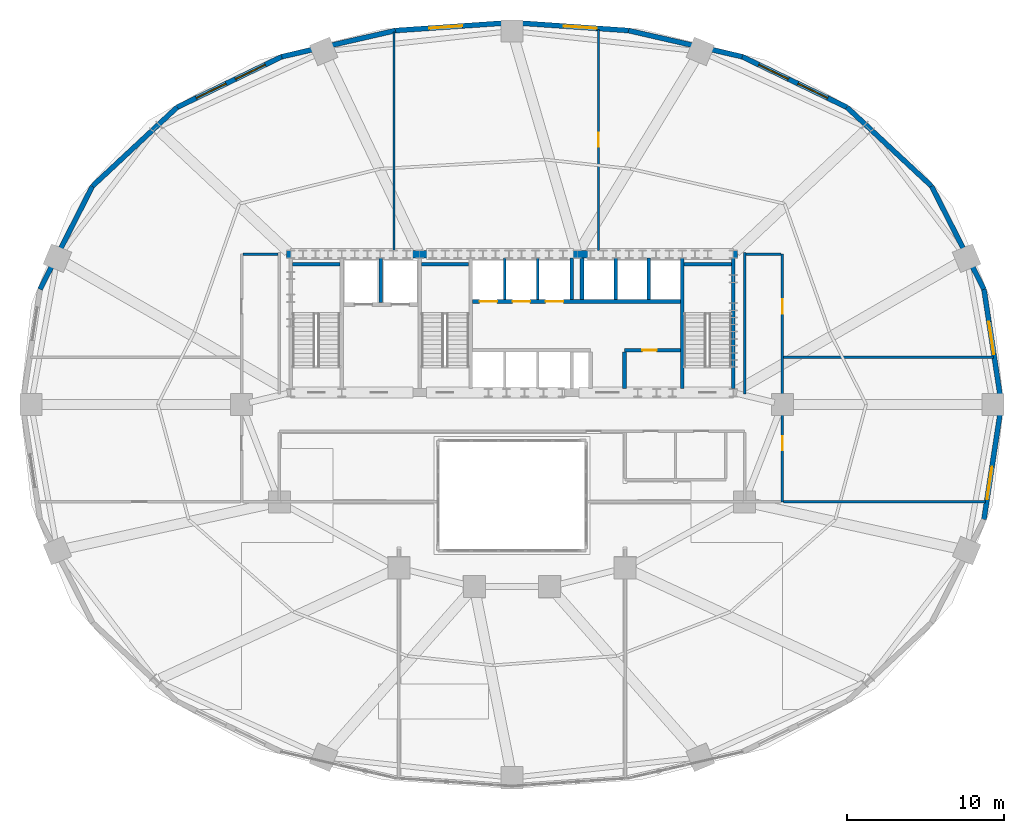
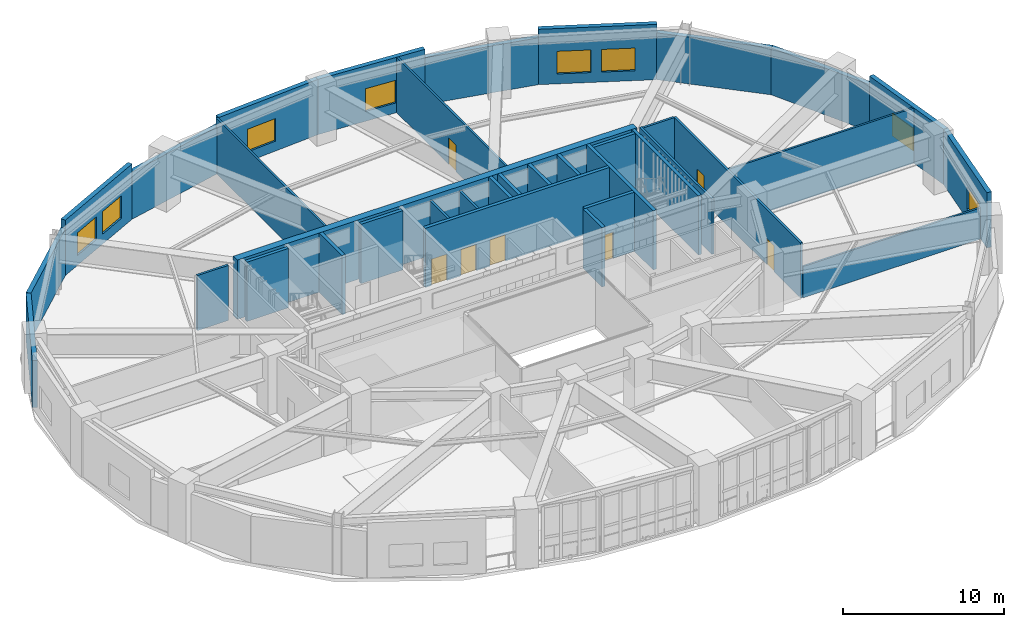
# One storey, part 10 of 13: 36 walls, 8 windows, 7 doors, 15 openings.
"""IFC4 building model written with IfcOpenShell, lengths in metres."""

import ifcopenshell
import ifcopenshell.guid

model = None  # the IFC model being written
_history = None  # IfcOwnerHistory: only IFC2X3 demands one
_inside = {}  # id of a spatial element -> (the spatial element, [elements in it])
_under = {}  # id of a project, library or spatial element -> (it, [spatial elements below it])
_declared = {}  # id of a project -> (the project, [libraries it declares])
_typed = {}  # id of a type object -> (the type object, [elements of that type])
_made_of = {}  # id of a material, layer set ... -> (it, [elements and type objects made of it])


def new_model(schema):
    """Start an empty IFC model of exactly this schema.

    Asked for "IFC4X3", IfcOpenShell would pick the latest addendum, in which some entities
    have other attributes; the version numbers below select the first issue.
    IFC2X3 requires an IfcOwnerHistory on every rooted entity: one is made here for all.
    """
    global model, _history
    if schema == "IFC4X3":
        model = ifcopenshell.file(schema_version=(4, 3, 0, 0))
    else:
        model = ifcopenshell.file(schema=schema)
    _inside.clear()
    _under.clear()
    _declared.clear()
    _typed.clear()
    _made_of.clear()
    _history = None
    if model.schema == "IFC2X3":
        org = make("IfcOrganization", Name="unknown")
        user = make(
            "IfcPersonAndOrganization",
            ThePerson=make("IfcPerson", FamilyName="unknown"),
            TheOrganization=org,
        )
        app = make(
            "IfcApplication",
            ApplicationDeveloper=org,
            Version="unknown",
            ApplicationFullName="unknown",
            ApplicationIdentifier="unknown",
        )
        _history = make(
            "IfcOwnerHistory",
            OwningUser=user,
            OwningApplication=app,
            ChangeAction="ADDED",
            CreationDate=0,
        )
    return model


def make(cls, **values):
    """One entity of the class cls with the attributes given. An attribute that is None is left unset."""
    return model.create_entity(
        cls, **{name: value for name, value in values.items() if value is not None}
    )


def rooted(cls, **values):
    """An entity with a GlobalId (a new one), such as an element, a storey or a relation."""
    return make(cls, GlobalId=ifcopenshell.guid.new(), OwnerHistory=_history, **values)


def si_unit(unit_type, name, prefix=None):
    """IfcSIUnit, for example si_unit("LENGTHUNIT", "METRE", prefix="MILLI")."""
    return make("IfcSIUnit", UnitType=unit_type, Prefix=prefix, Name=name)


def assignment(units):
    """IfcUnitAssignment: the units of a project."""
    return None if units is None else make("IfcUnitAssignment", Units=units)


def point(xyz):
    """IfcCartesianPoint."""
    return None if xyz is None else make("IfcCartesianPoint", Coordinates=xyz)


def direction(xyz):
    """IfcDirection."""
    return None if xyz is None else make("IfcDirection", DirectionRatios=xyz)


def frame(location, z_axis=None, x_axis=None):
    """IfcAxis2Placement3D, a coordinate frame: its origin and axes. An axis left out is left unset."""
    return make(
        "IfcAxis2Placement3D",
        Location=point(location),
        Axis=direction(z_axis),
        RefDirection=direction(x_axis),
    )


def frame_2d(location, x_axis=None):
    """IfcAxis2Placement2D, a coordinate frame in the plane: its origin and x axis."""
    return make(
        "IfcAxis2Placement2D", Location=point(location), RefDirection=direction(x_axis)
    )


def origin():
    """The frame at (0, 0, 0) with its axes left unset."""
    return frame((0.0, 0.0, 0.0))


def place(relative_to, where):
    """IfcLocalPlacement: puts the frame where relative to a parent placement (None: the world)."""
    return make(
        "IfcLocalPlacement", PlacementRelTo=relative_to, RelativePlacement=where
    )


def context(
    kind, dimensions, precision=None, world=None, true_north=None, identifier=None
):
    """IfcGeometricRepresentationContext, for example the 3D "Model" context."""
    return make(
        "IfcGeometricRepresentationContext",
        ContextIdentifier=identifier,
        ContextType=kind,
        CoordinateSpaceDimension=dimensions,
        Precision=precision,
        WorldCoordinateSystem=world,
        TrueNorth=true_north,
    )


def subcontext(parent, identifier, kind, view, scale=None):
    """IfcGeometricRepresentationSubContext, for example "Body" below "Model"."""
    return make(
        "IfcGeometricRepresentationSubContext",
        ContextIdentifier=identifier,
        ContextType=kind,
        ParentContext=parent,
        TargetScale=scale,
        TargetView=view,
    )


def project(units=None, contexts=None):
    """IfcProject with its units and contexts."""
    return rooted(
        "IfcProject",
        Name="project",
        RepresentationContexts=contexts,
        UnitsInContext=assignment(units),
    )


def spatial(cls, under=None, at=None, **own):
    """A site, building, storey or space (cls), placed at a placement, below another one or the project."""
    s = rooted(cls, ObjectPlacement=at, **own)
    if under is not None:
        _under.setdefault(under.id(), (under, []))[1].append(s)
    return s


def profile(cls, at=None, kind="AREA", **sizes):
    """A parametric profile (cls). Its sizes go by their IFC names, for example OverallWidth=200.0."""
    return make(cls, ProfileType=kind, Position=at, **sizes)


def rectangle(**sizes):
    """IfcRectangleProfileDef."""
    return profile("IfcRectangleProfileDef", **sizes)


def extrude(swept, where, along, depth):
    """IfcExtrudedAreaSolid: the profile swept, set in the frame where, extruded along a direction by depth."""
    return make(
        "IfcExtrudedAreaSolid",
        SweptArea=swept,
        Position=where,
        ExtrudedDirection=direction(along),
        Depth=depth,
    )


def shape(context_of_items, identifier, shape_type, items):
    """IfcShapeRepresentation: the items that make up one representation, for example the "Body"."""
    return make(
        "IfcShapeRepresentation",
        ContextOfItems=context_of_items,
        RepresentationIdentifier=identifier,
        RepresentationType=shape_type,
        Items=items,
    )


def material(Name=None, Category=None):
    """IfcMaterial."""
    return make("IfcMaterial", Name=Name, Category=Category)


def layer(
    of_material, thickness, ventilated=None, Name=None, Category=None, Priority=None
):
    """IfcMaterialLayer: one layer of a wall or slab, of a material (None: an air gap)."""
    return make(
        "IfcMaterialLayer",
        Material=of_material,
        LayerThickness=thickness,
        IsVentilated=ventilated,
        Name=Name,
        Category=Category,
        Priority=Priority,
    )


def layer_set(layers, Name=None):
    """IfcMaterialLayerSet."""
    return make("IfcMaterialLayerSet", MaterialLayers=layers, LayerSetName=Name)


def made_of(thing, what):
    """Note that an element or type object is made of a material, layer set ...; save() writes the relation."""
    if what is not None:
        _made_of.setdefault(what.id(), (what, []))[1].append(thing)
    return thing


def type_object(cls, material=None, **own):
    """A type object (cls), such as IfcWallType, which elements share."""
    return made_of(rooted(cls, **own), material)


def element(
    cls,
    number,
    at=None,
    inside=None,
    cuts=None,
    type_object=None,
    material=None,
    context=None,
    identifier="Body",
    shape_type=None,
    held_by="IfcProductDefinitionShape",
    body=None,
    shapes=None,
    **own,
):
    """One element of the class cls, such as IfcWall. Its Tag is "e" and its number.

    at: its placement. inside: the storey or other place that contains it. cuts: it is an
    opening in that element (IfcRelVoidsElement). A single representation is given by context,
    identifier, shape_type and body (its items); several are given by shapes. held_by: the class
    of the entity that holds the representations. save() writes the other relations.
    """
    e = rooted(cls, Tag="e%d" % number, ObjectPlacement=at, **own)
    if body is not None:
        shapes = [shape(context, identifier, shape_type, body)]
    if shapes is not None:
        e.Representation = make(held_by, Representations=shapes)
    if inside is not None:
        _inside.setdefault(inside.id(), (inside, []))[1].append(e)
    if cuts is not None:
        rooted(
            "IfcRelVoidsElement", RelatingBuildingElement=cuts, RelatedOpeningElement=e
        )
    if type_object is not None:
        _typed.setdefault(type_object.id(), (type_object, []))[1].append(e)
    return made_of(e, material)


def fill(opening, filler):
    """IfcRelFillsElement: the door or window that sits in an opening."""
    return rooted(
        "IfcRelFillsElement",
        RelatingOpeningElement=opening,
        RelatedBuildingElement=filler,
    )


def aggregate(whole, parts):
    """IfcRelAggregates: a whole, such as a stair, and the parts it consists of."""
    return rooted("IfcRelAggregates", RelatingObject=whole, RelatedObjects=parts)


def save(model, path):
    """Write the relations noted so far, then the file.

    IfcRelAggregates (storeys below a building ...), IfcRelContainedInSpatialStructure (elements
    in a storey), IfcRelDefinesByType, IfcRelAssociatesMaterial and IfcRelDeclares: one each for
    every whole, place, type object, material and project.
    """
    for whole, parts in _under.values():
        aggregate(whole, parts)
    for where, things in _inside.values():
        rooted(
            "IfcRelContainedInSpatialStructure",
            RelatedElements=things,
            RelatingStructure=where,
        )
    for kind, things in _typed.values():
        rooted("IfcRelDefinesByType", RelatedObjects=things, RelatingType=kind)
    for what, things in _made_of.values():
        rooted("IfcRelAssociatesMaterial", RelatedObjects=things, RelatingMaterial=what)
    for by, libraries in _declared.values():
        rooted("IfcRelDeclares", RelatingContext=by, RelatedDefinitions=libraries)
    model.write(path)


model = new_model("IFC4")

# Units and contexts
model_context = context("Model", 3, precision=1e-05, world=origin(), true_north=direction((0.0, 1.0)))
body_context = subcontext(model_context, "Body", "Model", "MODEL_VIEW")
ifc_project = project(units=[si_unit("LENGTHUNIT", "METRE"), si_unit("AREAUNIT", "SQUARE_METRE"), si_unit("VOLUMEUNIT", "CUBIC_METRE"), si_unit("PLANEANGLEUNIT", "RADIAN"), si_unit("MASSUNIT", "GRAM", prefix="KILO")], contexts=[model_context])

# Site, building, storey
site_placement = place(None, origin())
site = spatial("IfcSite", under=ifc_project, at=site_placement, CompositionType="ELEMENT")
building_placement = place(site_placement, origin())
building = spatial("IfcBuilding", under=site, at=building_placement, Name="Haldorwick Loom Tower", CompositionType="ELEMENT")
storey_placement = place(building_placement, frame((0.0, 0.0, 72.300048828125)))
storey = spatial("IfcBuildingStorey", under=building, at=storey_placement, Name="L19", CompositionType="ELEMENT", Elevation=72.300048828125)

# Wall, opening, window
ifc_material_1 = material(Name="Pressed Clay Face Brick and Insulated Masonry Backup Assembly", Category="masonry")
ifc_layer_1 = layer(ifc_material_1, 0.320068359375, Name="Pressed Clay Face Brick and Insulated Masonry Backup Assembly", Category="masonry")
ifc_layer_set_1 = layer_set([ifc_layer_1], Name="Pressed Clay Face Brick and Insulated Masonry Backup Assembly")
wall_type_1 = type_object("IfcWallType", Name="ARC-WL-EXT320", PredefinedType="STANDARD", material=ifc_layer_set_1)
wall_1_placement = place(storey_placement, frame((67.135986328125, 26.0, 0.0), z_axis=(0.0, 0.0, 1.0), x_axis=(-0.150476322528, 0.988613613278, 0.0)))
wall_1 = element("IfcWall", 1, at=wall_1_placement, inside=storey, type_object=wall_type_1, Name="L19 Brick Pier and Spandrel Wall 1", PredefinedType="STANDARD", context=body_context, shape_type="SweptSolid", body=[
    extrude(rectangle(XDim=7.40478515625, YDim=0.320068359375, at=frame_2d((3.702392578125, 0.0))), origin(), (0.0, 0.0, 1.0), 4.199951171875),
])
opening_1_placement = place(wall_1_placement, frame((3.22314453125, 0.0, 0.75)))
opening_1 = element("IfcOpeningElement", 2, at=opening_1_placement, cuts=wall_1, Name="Opening W-04", PredefinedType="OPENING", context=body_context, shape_type="SweptSolid", body=[
    extrude(rectangle(XDim=2.10009765625, YDim=1.719970703125, at=frame_2d((1.050048828125, 0.85986328125))), frame((0.0, 0.169921875, 0.0), z_axis=(0.0, -1.0, 0.0), x_axis=(1.0, 0.0, 0.0)), (0.0, 0.0, 1.0), 0.340087890625),
])
ifc_material_2 = material(Name="Triple-Glazed Low-E Argon Insulated Glazing Unit", Category="glass")
window_type = type_object("IfcWindowType", Name="ARC-WIN-W210", PartitioningType="SINGLE_PANEL", PredefinedType="WINDOW", material=ifc_material_2)
window_1_placement = place(opening_1_placement, origin())
window_1 = element("IfcWindow", 3, at=window_1_placement, inside=storey, type_object=window_type, Name="L19 Deep-Set Zone 7A Window 1", OverallHeight=1.719970703125, OverallWidth=2.10009765625, PartitioningType="SINGLE_PANEL", PredefinedType="WINDOW", context=body_context, shape_type="SweptSolid", body=[
    extrude(rectangle(XDim=2.10009765625, YDim=1.719970703125, at=frame_2d((1.050048828125, 0.85986328125))), frame((0.0, 0.030029296875, 0.0), z_axis=(0.0, -1.0, 0.0), x_axis=(1.0, 0.0, 0.0)), (0.0, 0.0, 1.0), 0.06005859375),
])
fill(opening_1, window_1)

# Walls
for number, where, z_axis, x_axis, name in (
    (4, (66.021728515625, 33.320556640625, 0.0), (0.0, 0.0, 1.0), (-0.452950855928, 0.891535485617, 0.0), "L19 Brick Pier and Spandrel Wall 2"),
    (5, (62.688720703125, 39.880859375, 0.0), (0.0, 0.0, 1.0), (-0.73176101237, 0.681561311091, 0.0), "L19 Brick Pier and Spandrel Wall 3"),
):
    element("IfcWall", number, at=place(storey_placement, frame(where, z_axis=z_axis, x_axis=x_axis)), inside=storey, type_object=wall_type_1, Name=name, PredefinedType="STANDARD", context=body_context, shape_type="SweptSolid", body=[
        extrude(rectangle(XDim=7.3583984375, YDim=0.320068359375, at=frame_2d((3.67919921875, 0.0))), origin(), (0.0, 0.0, 1.0), 3.558837890625),
    ])

# Wall, openings, windows
wall_2_placement = place(storey_placement, frame((57.30419921875, 44.89599609375, 0.0), z_axis=(0.0, 0.0, 1.0), x_axis=(-0.900295710431, 0.435278800057, 0.0)))
wall_2 = element("IfcWall", 6, at=wall_2_placement, inside=storey, type_object=wall_type_1, Name="L19 Brick Pier and Spandrel Wall 4", PredefinedType="STANDARD", context=body_context, shape_type="SweptSolid", body=[
    extrude(rectangle(XDim=7.39697265625, YDim=0.320068359375, at=frame_2d((3.698486328125, 0.0))), origin(), (0.0, 0.0, 1.0), 4.199951171875),
])
opening_2_placement = place(wall_2_placement, frame((1.359375, 0.0, 0.75)))
opening_2 = element("IfcOpeningElement", 7, at=opening_2_placement, cuts=wall_2, Name="Opening W-04", PredefinedType="OPENING", context=body_context, shape_type="SweptSolid", body=[
    extrude(rectangle(XDim=2.10009765625, YDim=1.719970703125, at=frame_2d((1.050048828125, 0.85986328125))), frame((0.0, 0.169921875, 0.0), z_axis=(0.0, -1.0, 0.0), x_axis=(1.0, 0.0, 0.0)), (0.0, 0.0, 1.0), 0.340087890625),
])
opening_3_placement = place(wall_2_placement, frame((4.1279296875, 0.0, 0.75)))
opening_3 = element("IfcOpeningElement", 8, at=opening_3_placement, cuts=wall_2, Name="Opening W-04", PredefinedType="OPENING", context=body_context, shape_type="SweptSolid", body=[
    extrude(rectangle(XDim=2.10009765625, YDim=1.719970703125, at=frame_2d((1.050048828125, 0.85986328125))), frame((0.0, 0.169921875, 0.0), z_axis=(0.0, -1.0, 0.0), x_axis=(1.0, 0.0, 0.0)), (0.0, 0.0, 1.0), 0.340087890625),
])
window_2_placement = place(opening_2_placement, origin())
window_2 = element("IfcWindow", 9, at=window_2_placement, inside=storey, type_object=window_type, Name="L19 Deep-Set Zone 7A Window 4", OverallHeight=1.719970703125, OverallWidth=2.10009765625, PartitioningType="SINGLE_PANEL", PredefinedType="WINDOW", context=body_context, shape_type="SweptSolid", body=[
    extrude(rectangle(XDim=2.10009765625, YDim=1.719970703125, at=frame_2d((1.050048828125, 0.85986328125))), frame((0.0, 0.030029296875, 0.0), z_axis=(0.0, -1.0, 0.0), x_axis=(1.0, 0.0, 0.0)), (0.0, 0.0, 1.0), 0.06005859375),
])
fill(opening_2, window_2)
window_3_placement = place(opening_3_placement, origin())
window_3 = element("IfcWindow", 10, at=window_3_placement, inside=storey, type_object=window_type, Name="L19 Deep-Set Zone 7A Window 4", OverallHeight=1.719970703125, OverallWidth=2.10009765625, PartitioningType="SINGLE_PANEL", PredefinedType="WINDOW", context=body_context, shape_type="SweptSolid", body=[
    extrude(rectangle(XDim=2.10009765625, YDim=1.719970703125, at=frame_2d((1.050048828125, 0.85986328125))), frame((0.0, 0.030029296875, 0.0), z_axis=(0.0, -1.0, 0.0), x_axis=(1.0, 0.0, 0.0)), (0.0, 0.0, 1.0), 0.06005859375),
])
fill(opening_3, window_3)

# Wall
wall_3_placement = place(storey_placement, frame((50.644775390625, 48.11572265625, 0.0), z_axis=(0.0, 0.0, 1.0), x_axis=(-0.974522412345, 0.224290142088, 0.0)))
element("IfcWall", 11, at=wall_3_placement, inside=storey, type_object=wall_type_1, Name="L19 Brick Pier and Spandrel Wall 5", PredefinedType="STANDARD", context=body_context, shape_type="SweptSolid", body=[
    extrude(rectangle(XDim=7.422607421875, YDim=0.320068359375, at=frame_2d((3.71142578125, 0.0))), origin(), (0.0, 0.0, 1.0), 3.558837890625),
])

# Wall, opening, window
wall_4_placement = place(storey_placement, frame((43.411376953125, 49.780517578125, 0.0), z_axis=(0.0, 0.0, 1.0), x_axis=(-0.997645161917, 0.068586667092, 0.0)))
wall_4 = element("IfcWall", 12, at=wall_4_placement, inside=storey, type_object=wall_type_1, Name="L19 Brick Pier and Spandrel Wall 6", PredefinedType="STANDARD", context=body_context, shape_type="SweptSolid", body=[
    extrude(rectangle(XDim=7.428955078125, YDim=0.320068359375, at=frame_2d((3.71435546875, 0.0))), origin(), (0.0, 0.0, 1.0), 4.199951171875),
])
opening_4_placement = place(wall_4_placement, frame((2.030517578125, 0.0, 0.75)))
opening_4 = element("IfcOpeningElement", 13, at=opening_4_placement, cuts=wall_4, Name="Opening W-04", PredefinedType="OPENING", context=body_context, shape_type="SweptSolid", body=[
    extrude(rectangle(XDim=2.10009765625, YDim=1.719970703125, at=frame_2d((1.050048828125, 0.85986328125))), frame((0.0, 0.169921875, 0.0), z_axis=(0.0, -1.0, 0.0), x_axis=(1.0, 0.0, 0.0)), (0.0, 0.0, 1.0), 0.340087890625),
])
window_4_placement = place(opening_4_placement, origin())
window_4 = element("IfcWindow", 14, at=window_4_placement, inside=storey, type_object=window_type, Name="L19 Deep-Set Zone 7A Window 6", OverallHeight=1.719970703125, OverallWidth=2.10009765625, PartitioningType="SINGLE_PANEL", PredefinedType="WINDOW", context=body_context, shape_type="SweptSolid", body=[
    extrude(rectangle(XDim=2.10009765625, YDim=1.719970703125, at=frame_2d((1.050048828125, 0.85986328125))), frame((0.0, 0.030029296875, 0.0), z_axis=(0.0, -1.0, 0.0), x_axis=(1.0, 0.0, 0.0)), (0.0, 0.0, 1.0), 0.06005859375),
])
fill(opening_4, window_4)

wall_5_placement = place(storey_placement, frame((36.0, 50.2900390625, 0.0), z_axis=(0.0, 0.0, 1.0), x_axis=(-0.997645161917, -0.068586667092, 0.0)))
wall_5 = element("IfcWall", 15, at=wall_5_placement, inside=storey, type_object=wall_type_1, Name="L19 Brick Pier and Spandrel Wall 7", PredefinedType="STANDARD", context=body_context, shape_type="SweptSolid", body=[
    extrude(rectangle(XDim=7.428955078125, YDim=0.320068359375, at=frame_2d((3.71435546875, 0.0))), origin(), (0.0, 0.0, 1.0), 4.199951171875),
])
opening_5_placement = place(wall_5_placement, frame((3.177490234375, 0.0, 0.75)))
opening_5 = element("IfcOpeningElement", 16, at=opening_5_placement, cuts=wall_5, Name="Opening W-04", PredefinedType="OPENING", context=body_context, shape_type="SweptSolid", body=[
    extrude(rectangle(XDim=2.10009765625, YDim=1.719970703125, at=frame_2d((1.050048828125, 0.85986328125))), frame((0.0, 0.169921875, 0.0), z_axis=(0.0, -1.0, 0.0), x_axis=(1.0, 0.0, 0.0)), (0.0, 0.0, 1.0), 0.340087890625),
])
window_5_placement = place(opening_5_placement, origin())
window_5 = element("IfcWindow", 17, at=window_5_placement, inside=storey, type_object=window_type, Name="L19 Deep-Set Zone 7A Window 7", OverallHeight=1.719970703125, OverallWidth=2.10009765625, PartitioningType="SINGLE_PANEL", PredefinedType="WINDOW", context=body_context, shape_type="SweptSolid", body=[
    extrude(rectangle(XDim=2.10009765625, YDim=1.719970703125, at=frame_2d((1.050048828125, 0.85986328125))), frame((0.0, 0.030029296875, 0.0), z_axis=(0.0, -1.0, 0.0), x_axis=(1.0, 0.0, 0.0)), (0.0, 0.0, 1.0), 0.06005859375),
])
fill(opening_5, window_5)

# Wall
wall_6_placement = place(storey_placement, frame((28.588623046875, 49.780517578125, 0.0), z_axis=(0.0, 0.0, 1.0), x_axis=(-0.974522412345, -0.224290142088, 0.0)))
element("IfcWall", 18, at=wall_6_placement, inside=storey, type_object=wall_type_1, Name="L19 Brick Pier and Spandrel Wall 8", PredefinedType="STANDARD", context=body_context, shape_type="SweptSolid", body=[
    extrude(rectangle(XDim=7.422607421875, YDim=0.320068359375, at=frame_2d((3.71142578125, 0.0))), origin(), (0.0, 0.0, 1.0), 3.558837890625),
])

# Wall, openings, windows
wall_7_placement = place(storey_placement, frame((21.355224609375, 48.11572265625, 0.0), z_axis=(0.0, 0.0, 1.0), x_axis=(-0.900295710431, -0.435278800057, 0.0)))
wall_7 = element("IfcWall", 19, at=wall_7_placement, inside=storey, type_object=wall_type_1, Name="L19 Brick Pier and Spandrel Wall 9", PredefinedType="STANDARD", context=body_context, shape_type="SweptSolid", body=[
    extrude(rectangle(XDim=7.39697265625, YDim=0.320068359375, at=frame_2d((3.698486328125, 0.0))), origin(), (0.0, 0.0, 1.0), 4.199951171875),
])
opening_6_placement = place(wall_7_placement, frame((1.169189453125, 0.0, 0.75)))
opening_6 = element("IfcOpeningElement", 20, at=opening_6_placement, cuts=wall_7, Name="Opening W-04", PredefinedType="OPENING", context=body_context, shape_type="SweptSolid", body=[
    extrude(rectangle(XDim=2.10009765625, YDim=1.719970703125, at=frame_2d((1.050048828125, 0.85986328125))), frame((0.0, 0.169921875, 0.0), z_axis=(0.0, -1.0, 0.0), x_axis=(1.0, 0.0, 0.0)), (0.0, 0.0, 1.0), 0.340087890625),
])
opening_7_placement = place(wall_7_placement, frame((3.937744140625, 0.0, 0.75)))
opening_7 = element("IfcOpeningElement", 21, at=opening_7_placement, cuts=wall_7, Name="Opening W-04", PredefinedType="OPENING", context=body_context, shape_type="SweptSolid", body=[
    extrude(rectangle(XDim=2.10009765625, YDim=1.719970703125, at=frame_2d((1.050048828125, 0.85986328125))), frame((0.0, 0.169921875, 0.0), z_axis=(0.0, -1.0, 0.0), x_axis=(1.0, 0.0, 0.0)), (0.0, 0.0, 1.0), 0.340087890625),
])
window_6_placement = place(opening_6_placement, origin())
window_6 = element("IfcWindow", 22, at=window_6_placement, inside=storey, type_object=window_type, Name="L19 Deep-Set Zone 7A Window 9", OverallHeight=1.719970703125, OverallWidth=2.10009765625, PartitioningType="SINGLE_PANEL", PredefinedType="WINDOW", context=body_context, shape_type="SweptSolid", body=[
    extrude(rectangle(XDim=2.10009765625, YDim=1.719970703125, at=frame_2d((1.050048828125, 0.85986328125))), frame((0.0, 0.030029296875, 0.0), z_axis=(0.0, -1.0, 0.0), x_axis=(1.0, 0.0, 0.0)), (0.0, 0.0, 1.0), 0.06005859375),
])
fill(opening_6, window_6)
window_7_placement = place(opening_7_placement, origin())
window_7 = element("IfcWindow", 23, at=window_7_placement, inside=storey, type_object=window_type, Name="L19 Deep-Set Zone 7A Window 9", OverallHeight=1.719970703125, OverallWidth=2.10009765625, PartitioningType="SINGLE_PANEL", PredefinedType="WINDOW", context=body_context, shape_type="SweptSolid", body=[
    extrude(rectangle(XDim=2.10009765625, YDim=1.719970703125, at=frame_2d((1.050048828125, 0.85986328125))), frame((0.0, 0.030029296875, 0.0), z_axis=(0.0, -1.0, 0.0), x_axis=(1.0, 0.0, 0.0)), (0.0, 0.0, 1.0), 0.06005859375),
])
fill(opening_7, window_7)

# Walls
for number, where, z_axis, x_axis, name in (
    (24, (14.69580078125, 44.89599609375, 0.0), (0.0, 0.0, 1.0), (-0.73176101237, -0.681561311091, 0.0), "L19 Brick Pier and Spandrel Wall 10"),
    (25, (9.311279296875, 39.880859375, 0.0), (0.0, 0.0, 1.0), (-0.452950855928, -0.891535485617, 0.0), "L19 Brick Pier and Spandrel Wall 11"),
):
    element("IfcWall", number, at=place(storey_placement, frame(where, z_axis=z_axis, x_axis=x_axis)), inside=storey, type_object=wall_type_1, Name=name, PredefinedType="STANDARD", context=body_context, shape_type="SweptSolid", body=[
        extrude(rectangle(XDim=7.3583984375, YDim=0.320068359375, at=frame_2d((3.67919921875, 0.0))), origin(), (0.0, 0.0, 1.0), 3.558837890625),
    ])

# Wall, opening, window
wall_8_placement = place(storey_placement, frame((66.021728515625, 18.679443359375, 0.0), z_axis=(0.0, 0.0, 1.0), x_axis=(0.150476322528, 0.988613613278, 0.0)))
wall_8 = element("IfcWall", 26, at=wall_8_placement, inside=storey, type_object=wall_type_1, Name="L19 Brick Pier and Spandrel Wall 24", PredefinedType="STANDARD", context=body_context, shape_type="SweptSolid", body=[
    extrude(rectangle(XDim=7.40478515625, YDim=0.320068359375, at=frame_2d((3.702392578125, 0.0))), origin(), (0.0, 0.0, 1.0), 4.199951171875),
])
opening_8_placement = place(wall_8_placement, frame((1.301025390625, 0.0, 0.75)))
opening_8 = element("IfcOpeningElement", 27, at=opening_8_placement, cuts=wall_8, Name="Opening W-04", PredefinedType="OPENING", context=body_context, shape_type="SweptSolid", body=[
    extrude(rectangle(XDim=2.10009765625, YDim=1.719970703125, at=frame_2d((1.050048828125, 0.85986328125))), frame((0.0, 0.169921875, 0.0), z_axis=(0.0, -1.0, 0.0), x_axis=(1.0, 0.0, 0.0)), (0.0, 0.0, 1.0), 0.340087890625),
])
window_8_placement = place(opening_8_placement, origin())
window_8 = element("IfcWindow", 28, at=window_8_placement, inside=storey, type_object=window_type, Name="L19 Deep-Set Zone 7A Window 24", OverallHeight=1.719970703125, OverallWidth=2.10009765625, PartitioningType="SINGLE_PANEL", PredefinedType="WINDOW", context=body_context, shape_type="SweptSolid", body=[
    extrude(rectangle(XDim=2.10009765625, YDim=1.719970703125, at=frame_2d((1.050048828125, 0.85986328125))), frame((0.0, 0.030029296875, 0.0), z_axis=(0.0, -1.0, 0.0), x_axis=(1.0, 0.0, 0.0)), (0.0, 0.0, 1.0), 0.06005859375),
])
fill(opening_8, window_8)

# Wall
ifc_material_3 = material(Name="Fire-Rated Type X Gypsum Stud Assembly EI 60")
ifc_layer_2 = layer(ifc_material_3, 0.159912109375, Name="Fire-Rated Type X Gypsum Stud Assembly EI 60")
ifc_layer_set_2 = layer_set([ifc_layer_2], Name="Fire-Rated Type X Gypsum Stud Assembly EI 60")
wall_type_2 = type_object("IfcWallType", Name="ARC-WL-FIRE160", PredefinedType="PARTITIONING", material=ifc_layer_set_2)
wall_9_placement = place(storey_placement, frame((18.883056640625, 35.550048828125, 0.0), z_axis=(0.0, 0.0, 1.0), x_axis=(1.0, 0.0, 0.0)))
element("IfcWall", 29, at=wall_9_placement, inside=storey, type_object=wall_type_2, Name="L19 Interior Partition L19-CWN", PredefinedType="PARTITIONING", context=body_context, shape_type="SweptSolid", body=[
    extrude(rectangle(XDim=2.23388671875, YDim=0.159912109375, at=frame_2d((1.116943359375, 0.0))), origin(), (0.0, 0.0, 1.0), 4.18505859375),
])

# Wall, openings, doors
wall_10_placement = place(storey_placement, frame((53.199951171875, 19.800048828125, 0.0), z_axis=(0.0, 0.0, 1.0), x_axis=(0.0, 1.0, 0.0)))
wall_10 = element("IfcWall", 30, at=wall_10_placement, inside=storey, type_object=wall_type_2, Name="L19 Interior Partition L19-CE0", PredefinedType="PARTITIONING", context=body_context, shape_type="SweptSolid", body=[
    extrude(rectangle(XDim=15.75, YDim=0.159912109375, at=frame_2d((7.875, 0.0))), origin(), (0.0, 0.0, 1.0), 4.18505859375),
])
opening_9_placement = place(wall_10_placement, frame((3.284912109375, 0.0, 0.0)))
opening_9 = element("IfcOpeningElement", 31, at=opening_9_placement, cuts=wall_10, Name="Opening D-FD60A", PredefinedType="OPENING", context=body_context, shape_type="SweptSolid", body=[
    extrude(rectangle(XDim=0.89990234375, YDim=2.0, at=frame_2d((0.449951171875, 1.0))), frame((0.0, 0.08984375, 0.0), z_axis=(0.0, -1.0, 0.0), x_axis=(1.0, 0.0, 0.0)), (0.0, 0.0, 1.0), 0.179931640625),
])
opening_10_placement = place(wall_10_placement, frame((11.972412109375, 0.0, 0.0)))
opening_10 = element("IfcOpeningElement", 32, at=opening_10_placement, cuts=wall_10, Name="Opening D-FD60A", PredefinedType="OPENING", context=body_context, shape_type="SweptSolid", body=[
    extrude(rectangle(XDim=0.89990234375, YDim=2.0, at=frame_2d((0.449951171875, 1.0))), frame((0.0, 0.08984375, 0.0), z_axis=(0.0, -1.0, 0.0), x_axis=(1.0, 0.0, 0.0)), (0.0, 0.0, 1.0), 0.179931640625),
])
ifc_material_4 = material(Name="Hollow Steel Fire Door Assembly", Category="steel")
door_type_1 = type_object("IfcDoorType", Name="ARC-DR-FD60-90", OperationType="NOTDEFINED", PredefinedType="DOOR", material=ifc_material_4)
door_1_placement = place(opening_9_placement, origin())
door_1 = element("IfcDoor", 33, at=door_1_placement, inside=storey, type_object=door_type_1, Name="L19 L19 Central Transfer Corridor to Childcare Classroom 6 Door", OperationType="SINGLE_SWING_RIGHT", OverallHeight=2.0, OverallWidth=0.89990234375, PredefinedType="DOOR", context=body_context, shape_type="SweptSolid", body=[
    extrude(rectangle(XDim=0.89990234375, YDim=2.0, at=frame_2d((0.449951171875, 1.0))), frame((0.0, 0.02490234375, 0.0), z_axis=(0.0, -1.0, 0.0), x_axis=(1.0, 0.0, 0.0)), (0.0, 0.0, 1.0), 0.050048828125),
])
fill(opening_9, door_1)
door_2_placement = place(opening_10_placement, origin())
door_2 = element("IfcDoor", 34, at=door_2_placement, inside=storey, type_object=door_type_1, Name="L19 L19 Central Transfer Corridor to Community Seminar Room 9 Door", OperationType="SINGLE_SWING_RIGHT", OverallHeight=2.0, OverallWidth=0.89990234375, PredefinedType="DOOR", context=body_context, shape_type="SweptSolid", body=[
    extrude(rectangle(XDim=0.89990234375, YDim=2.0, at=frame_2d((0.449951171875, 1.0))), frame((0.0, 0.02490234375, 0.0), z_axis=(0.0, -1.0, 0.0), x_axis=(1.0, 0.0, 0.0)), (0.0, 0.0, 1.0), 0.050048828125),
])
fill(opening_10, door_2)

# Walls
wall_11_placement = place(storey_placement, frame((50.800048828125, 26.64990234375, 0.0), z_axis=(0.0, 0.0, 1.0), x_axis=(0.0, 1.0, 0.0)))
element("IfcWall", 35, at=wall_11_placement, inside=storey, type_object=wall_type_2, Name="L19 Interior Partition L19-CE2", PredefinedType="PARTITIONING", context=body_context, shape_type="SweptSolid", body=[
    extrude(rectangle(XDim=9.0, YDim=0.159912109375, at=frame_2d((4.5, 0.0))), origin(), (0.0, 0.0, 1.0), 4.18505859375),
])
wall_12_placement = place(storey_placement, frame((50.883056640625, 35.550048828125, 0.0), z_axis=(0.0, 0.0, 1.0), x_axis=(1.0, 0.0, 0.0)))
element("IfcWall", 36, at=wall_12_placement, inside=storey, type_object=wall_type_2, Name="L19 Interior Partition L19-CEN", PredefinedType="PARTITIONING", context=body_context, shape_type="SweptSolid", body=[
    extrude(rectangle(XDim=2.23388671875, YDim=0.159912109375, at=frame_2d((1.116943359375, 0.0))), origin(), (0.0, 0.0, 1.0), 4.18505859375),
])
ifc_layer_3 = layer(ifc_material_3, 0.139892578125, Name="Fire-Rated Type X Gypsum Stud Assembly EI 60")
ifc_layer_set_3 = layer_set([ifc_layer_3], Name="Fire-Rated Type X Gypsum Stud Assembly EI 60")
wall_type_3 = type_object("IfcWallType", Name="ARC-WL-PART140", PredefinedType="PARTITIONING", material=ifc_layer_set_3)
wall_13_placement = place(storey_placement, frame((53.282958984375, 19.800048828125, 0.0), z_axis=(0.0, 0.0, 1.0), x_axis=(1.0, 0.0, 0.0)))
element("IfcWall", 37, at=wall_13_placement, inside=storey, type_object=wall_type_3, Name="L19 Interior Partition L19-EL-S", PredefinedType="PARTITIONING", context=body_context, shape_type="SweptSolid", body=[
    extrude(rectangle(XDim=12.84375, YDim=0.139892578125, at=frame_2d((6.421875, 0.0))), origin(), (0.0, 0.0, 1.0), 2.375),
])
wall_14_placement = place(storey_placement, frame((53.282958984375, 29.0, 0.0), z_axis=(0.0, 0.0, 1.0), x_axis=(1.0, 0.0, 0.0)))
element("IfcWall", 38, at=wall_14_placement, inside=storey, type_object=wall_type_3, Name="L19 Interior Partition L19-EL-N", PredefinedType="PARTITIONING", context=body_context, shape_type="SweptSolid", body=[
    extrude(rectangle(XDim=13.33056640625, YDim=0.139892578125, at=frame_2d((6.665283203125, 0.0))), origin(), (0.0, 0.0, 1.0), 4.18505859375),
])
wall_15_placement = place(storey_placement, frame((28.5, 35.802978515625, 0.0), z_axis=(0.0, 0.0, 1.0), x_axis=(0.0, 1.0, 0.0)))
element("IfcWall", 39, at=wall_15_placement, inside=storey, type_object=wall_type_3, Name="L19 Interior Partition L19-N-0", PredefinedType="PARTITIONING", context=body_context, shape_type="SweptSolid", body=[
    extrude(rectangle(XDim=13.890380859375, YDim=0.139892578125, at=frame_2d((6.9453125, 0.0))), origin(), (0.0, 0.0, 1.0), 4.18505859375),
])

# Wall, opening, door
wall_16_placement = place(storey_placement, frame((41.5, 35.802978515625, 0.0), z_axis=(0.0, 0.0, 1.0), x_axis=(0.0, 1.0, 0.0)))
wall_16 = element("IfcWall", 40, at=wall_16_placement, inside=storey, type_object=wall_type_3, Name="L19 Interior Partition L19-N-1", PredefinedType="PARTITIONING", context=body_context, shape_type="SweptSolid", body=[
    extrude(rectangle(XDim=14.043701171875, YDim=0.139892578125, at=frame_2d((7.02197265625, 0.0))), origin(), (0.0, 0.0, 1.0), 4.18505859375),
])
opening_11_placement = place(wall_16_placement, frame((6.581787109375, 0.0, 0.0)))
opening_11 = element("IfcOpeningElement", 41, at=opening_11_placement, cuts=wall_16, Name="Opening D-FD60A", PredefinedType="OPENING", context=body_context, shape_type="SweptSolid", body=[
    extrude(rectangle(XDim=0.89990234375, YDim=2.0, at=frame_2d((0.449951171875, 1.0))), frame((0.0, 0.079833984375, 0.0), z_axis=(0.0, -1.0, 0.0), x_axis=(1.0, 0.0, 0.0)), (0.0, 0.0, 1.0), 0.159912109375),
])
door_3_placement = place(opening_11_placement, frame((0.89990234375, 0.0, 0.0), z_axis=(0.0, 0.0, 1.0), x_axis=(-1.0, 0.0, 0.0)))
door_3 = element("IfcDoor", 42, at=door_3_placement, inside=storey, type_object=door_type_1, Name="L19 Parent Advisory Office 10 to Community Seminar Room 9 Door", OperationType="SINGLE_SWING_RIGHT", OverallHeight=2.0, OverallWidth=0.89990234375, PredefinedType="DOOR", context=body_context, shape_type="SweptSolid", body=[
    extrude(rectangle(XDim=0.89990234375, YDim=2.0, at=frame_2d((0.449951171875, 1.0))), frame((0.0, 0.02490234375, 0.0), z_axis=(0.0, -1.0, 0.0), x_axis=(1.0, 0.0, 0.0)), (0.0, 0.0, 1.0), 0.050048828125),
])
fill(opening_11, door_3)

# Walls
ifc_material_5 = material(Name="Fire-Rated Type X Gypsum Stud Assembly EI 120")
ifc_layer_4 = layer(ifc_material_5, 0.1650390625, Name="Fire-Rated Type X Gypsum Stud Assembly EI 120")
ifc_layer_set_4 = layer_set([ifc_layer_4], Name="Fire-Rated Type X Gypsum Stud Assembly EI 120")
wall_type_4 = type_object("IfcWallType", Name="ARC-WL-SHAFT160", PredefinedType="MOVABLE", material=ifc_layer_set_4)
for number, where, z_axis, x_axis, name in (
    (43, (35.550048828125, 32.673095703125, 0.0), (0.0, 0.0, 1.0), (0.0, 1.0, 0.0), "L19 Low-Rise Hoistway Divider 1"),
    (44, (37.64990234375, 32.673095703125, 0.0), (0.0, 0.0, 1.0), (0.0, 1.0, 0.0), "L19 Low-Rise Hoistway Divider 2"),
):
    element("IfcWall", number, at=place(storey_placement, frame(where, z_axis=z_axis, x_axis=x_axis)), inside=storey, type_object=wall_type_4, Name=name, PredefinedType="MOVABLE", context=body_context, shape_type="SweptSolid", body=[
        extrude(rectangle(XDim=2.6240234375, YDim=0.159912109375, at=frame_2d((1.31201171875, 0.0))), origin(), (0.0, 0.0, 1.0), 4.18505859375),
    ])
ifc_material_6 = material(Name="Concrete C60 (60 MPa)", Category="concrete")
ifc_layer_5 = layer(ifc_material_6, 0.5, Name="Concrete C60 (60 MPa)", Category="concrete")
ifc_layer_set_5 = layer_set([ifc_layer_5], Name="Concrete C60 (60 MPa)")
wall_type_5 = type_object("IfcWallType", Name="STR-WL-CORE500", PredefinedType="SHEAR", material=ifc_layer_set_5)
wall_17_placement = place(storey_placement, frame((50.35009765625, 35.550048828125, 0.0), z_axis=(0.0, 0.0, 1.0), x_axis=(-1.0, 0.0, 0.0)))
element("IfcWall", 45, at=wall_17_placement, inside=storey, type_object=wall_type_5, Name="L19 Core Shear Wall N", PredefinedType="SHEAR", context=body_context, shape_type="SweptSolid", body=[
    extrude(rectangle(XDim=28.7001953125, YDim=0.5, at=frame_2d((14.35009765625, 0.0))), origin(), (0.0, 0.0, 1.0), 4.5),
])
ifc_material_7 = material(Name="Concrete C50 (50 MPa)", Category="concrete")
ifc_layer_6 = layer(ifc_material_7, 0.239990234375, Name="Concrete C50 (50 MPa)", Category="concrete")
ifc_layer_set_6 = layer_set([ifc_layer_6], Name="Concrete C50 (50 MPa)")
wall_type_6 = type_object("IfcWallType", Name="STR-WL-SHAFT240", PredefinedType="SHEAR", material=ifc_layer_set_6)
wall_18_placement = place(storey_placement, frame((50.070068359375, 27.0029296875, 0.0), z_axis=(0.0, 0.0, 1.0), x_axis=(0.0, 1.0, 0.0)))
element("IfcWall", 46, at=wall_18_placement, inside=storey, type_object=wall_type_6, Name="L19 Core Shear Wall E", PredefinedType="SHEAR", context=body_context, shape_type="SweptSolid", body=[
    extrude(rectangle(XDim=8.294189453125, YDim=0.239990234375, at=frame_2d((4.14697265625, 0.0))), origin(), (0.0, 0.0, 1.0), 4.5),
])
for number, where, z_axis, x_axis, name in (
    (47, (22.052978515625, 34.919921875, 0.0), (0.0, 0.0, 1.0), (1.0, 0.0, 0.0), "L19 Core Shear Wall 1N"),
    (48, (30.2529296875, 34.919921875, 0.0), (0.0, 0.0, 1.0), (1.0, 0.0, 0.0), "L19 Core Shear Wall 3N"),
):
    element("IfcWall", number, at=place(storey_placement, frame(where, z_axis=z_axis, x_axis=x_axis)), inside=storey, type_object=wall_type_6, Name=name, PredefinedType="SHEAR", context=body_context, shape_type="SweptSolid", body=[
        extrude(rectangle(XDim=2.994140625, YDim=0.239990234375, at=frame_2d((1.4970703125, 0.0))), origin(), (0.0, 0.0, 1.0), 4.5),
    ])
wall_19_placement = place(storey_placement, frame((46.830078125, 27.0029296875, 0.0), z_axis=(0.0, 0.0, 1.0), x_axis=(0.0, 1.0, 0.0)))
element("IfcWall", 49, at=wall_19_placement, inside=storey, type_object=wall_type_6, Name="L19 Core Shear Wall 4", PredefinedType="SHEAR", context=body_context, shape_type="SweptSolid", body=[
    extrude(rectangle(XDim=8.294189453125, YDim=0.239990234375, at=frame_2d((4.14697265625, 0.0))), origin(), (0.0, 0.0, 1.0), 4.5),
])
wall_20_placement = place(storey_placement, frame((46.952880859375, 34.919921875, 0.0), z_axis=(0.0, 0.0, 1.0), x_axis=(1.0, 0.0, 0.0)))
element("IfcWall", 50, at=wall_20_placement, inside=storey, type_object=wall_type_6, Name="L19 Core Shear Wall 4N", PredefinedType="SHEAR", context=body_context, shape_type="SweptSolid", body=[
    extrude(rectangle(XDim=2.994140625, YDim=0.239990234375, at=frame_2d((1.4970703125, 0.0))), origin(), (0.0, 0.0, 1.0), 4.5),
])
wall_21_placement = place(storey_placement, frame((27.64990234375, 32.472900390625, 0.0), z_axis=(0.0, 0.0, 1.0), x_axis=(0.0, 1.0, 0.0)))
element("IfcWall", 51, at=wall_21_placement, inside=storey, type_object=wall_type_6, Name="L19 Core Shear Wall FFD", PredefinedType="SHEAR", context=body_context, shape_type="SweptSolid", body=[
    extrude(rectangle(XDim=2.82421875, YDim=0.239990234375, at=frame_2d((1.412109375, 0.0))), origin(), (0.0, 0.0, 1.0), 4.5),
])

# Wall, openings, doors
wall_22_placement = place(storey_placement, frame((33.492919921875, 32.550048828125, 0.0), z_axis=(0.0, 0.0, 1.0), x_axis=(1.0, 0.0, 0.0)))
wall_22 = element("IfcWall", 52, at=wall_22_placement, inside=storey, type_object=wall_type_6, Name="L19 Core Shear Wall LN", PredefinedType="SHEAR", context=body_context, shape_type="SweptSolid", body=[
    extrude(rectangle(XDim=13.214111328125, YDim=0.239990234375, at=frame_2d((6.60693359375, 0.0))), origin(), (0.0, 0.0, 1.0), 4.5),
])
opening_12_placement = place(wall_22_placement, frame((0.447021484375, 0.0, 0.0)))
opening_12 = element("IfcOpeningElement", 53, at=opening_12_placement, cuts=wall_22, Name="Opening LD-L1", PredefinedType="OPENING", context=body_context, shape_type="SweptSolid", body=[
    extrude(rectangle(XDim=1.1201171875, YDim=2.0, at=frame_2d((0.56005859375, 1.0))), frame((0.0, 0.1298828125, 0.0), z_axis=(0.0, -1.0, 0.0), x_axis=(1.0, 0.0, 0.0)), (0.0, 0.0, 1.0), 0.260009765625),
])
opening_13_placement = place(wall_22_placement, frame((2.547119140625, 0.0, 0.0)))
opening_13 = element("IfcOpeningElement", 54, at=opening_13_placement, cuts=wall_22, Name="Opening LD-L2", PredefinedType="OPENING", context=body_context, shape_type="SweptSolid", body=[
    extrude(rectangle(XDim=1.1201171875, YDim=2.0, at=frame_2d((0.56005859375, 1.0))), frame((0.0, 0.1298828125, 0.0), z_axis=(0.0, -1.0, 0.0), x_axis=(1.0, 0.0, 0.0)), (0.0, 0.0, 1.0), 0.260009765625),
])
opening_14_placement = place(wall_22_placement, frame((4.64697265625, 0.0, 0.0)))
opening_14 = element("IfcOpeningElement", 55, at=opening_14_placement, cuts=wall_22, Name="Opening LD-L3", PredefinedType="OPENING", context=body_context, shape_type="SweptSolid", body=[
    extrude(rectangle(XDim=1.1201171875, YDim=2.0, at=frame_2d((0.56005859375, 1.0))), frame((0.0, 0.1298828125, 0.0), z_axis=(0.0, -1.0, 0.0), x_axis=(1.0, 0.0, 0.0)), (0.0, 0.0, 1.0), 0.260009765625),
])
door_type_2 = type_object("IfcDoorType", Name="ARC-DR-LD-PAX", OperationType="NOTDEFINED", PredefinedType="USERDEFINED", material=ifc_material_4)
door_4_placement = place(opening_12_placement, origin())
door_4 = element("IfcDoor", 56, at=door_4_placement, inside=storey, type_object=door_type_2, Name="L19 Lift LF-L1 Sliding Landing Door", ObjectType="LANDING DOOR", OperationType="DOUBLE_DOOR_SLIDING", OverallHeight=2.0, OverallWidth=1.1201171875, PredefinedType="USERDEFINED", context=body_context, shape_type="SweptSolid", body=[
    extrude(rectangle(XDim=1.1201171875, YDim=2.0, at=frame_2d((0.56005859375, 1.0))), frame((0.0, 0.02490234375, 0.0), z_axis=(0.0, -1.0, 0.0), x_axis=(1.0, 0.0, 0.0)), (0.0, 0.0, 1.0), 0.050048828125),
])
fill(opening_12, door_4)
door_5_placement = place(opening_13_placement, origin())
door_5 = element("IfcDoor", 57, at=door_5_placement, inside=storey, type_object=door_type_2, Name="L19 Lift LF-L2 Sliding Landing Door", ObjectType="LANDING DOOR", OperationType="DOUBLE_DOOR_SLIDING", OverallHeight=2.0, OverallWidth=1.1201171875, PredefinedType="USERDEFINED", context=body_context, shape_type="SweptSolid", body=[
    extrude(rectangle(XDim=1.1201171875, YDim=2.0, at=frame_2d((0.56005859375, 1.0))), frame((0.0, 0.02490234375, 0.0), z_axis=(0.0, -1.0, 0.0), x_axis=(1.0, 0.0, 0.0)), (0.0, 0.0, 1.0), 0.050048828125),
])
fill(opening_13, door_5)
door_6_placement = place(opening_14_placement, origin())
door_6 = element("IfcDoor", 58, at=door_6_placement, inside=storey, type_object=door_type_2, Name="L19 Lift LF-L3 Sliding Landing Door", ObjectType="LANDING DOOR", OperationType="DOUBLE_DOOR_SLIDING", OverallHeight=2.0, OverallWidth=1.1201171875, PredefinedType="USERDEFINED", context=body_context, shape_type="SweptSolid", body=[
    extrude(rectangle(XDim=1.1201171875, YDim=2.0, at=frame_2d((0.56005859375, 1.0))), frame((0.0, 0.02490234375, 0.0), z_axis=(0.0, -1.0, 0.0), x_axis=(1.0, 0.0, 0.0)), (0.0, 0.0, 1.0), 0.050048828125),
])
fill(opening_14, door_6)

# Wall, opening, door
wall_23_placement = place(storey_placement, frame((43.14990234375, 29.449951171875, 0.0), z_axis=(0.0, 0.0, 1.0), x_axis=(1.0, 0.0, 0.0)))
wall_23 = element("IfcWall", 59, at=wall_23_placement, inside=storey, type_object=wall_type_6, Name="L19 Core Shear Wall LS2", PredefinedType="SHEAR", context=body_context, shape_type="SweptSolid", body=[
    extrude(rectangle(XDim=3.55712890625, YDim=0.239990234375, at=frame_2d((1.778564453125, 0.0))), origin(), (0.0, 0.0, 1.0), 4.5),
])
opening_15_placement = place(wall_23_placement, frame((1.14990234375, 0.0, 0.0)))
opening_15 = element("IfcOpeningElement", 60, at=opening_15_placement, cuts=wall_23, Name="Opening D-FD60A", PredefinedType="OPENING", context=body_context, shape_type="SweptSolid", body=[
    extrude(rectangle(XDim=0.89990234375, YDim=2.0, at=frame_2d((0.449951171875, 1.0))), frame((0.0, 0.1298828125, 0.0), z_axis=(0.0, -1.0, 0.0), x_axis=(1.0, 0.0, 0.0)), (0.0, 0.0, 1.0), 0.260009765625),
])
door_7_placement = place(opening_15_placement, origin())
door_7 = element("IfcDoor", 61, at=door_7_placement, inside=storey, type_object=door_type_1, Name="L19 Electrical Metering Door", OperationType="SINGLE_SWING_LEFT", OverallHeight=2.0, OverallWidth=0.89990234375, PredefinedType="DOOR", context=body_context, shape_type="SweptSolid", body=[
    extrude(rectangle(XDim=0.89990234375, YDim=2.0, at=frame_2d((0.449951171875, 1.0))), frame((0.0, 0.02490234375, 0.0), z_axis=(0.0, -1.0, 0.0), x_axis=(1.0, 0.0, 0.0)), (0.0, 0.0, 1.0), 0.050048828125),
])
fill(opening_15, door_7)

# Walls
wall_24_placement = place(storey_placement, frame((43.14990234375, 27.0029296875, 0.0), z_axis=(0.0, 0.0, 1.0), x_axis=(0.0, 1.0, 0.0)))
element("IfcWall", 62, at=wall_24_placement, inside=storey, type_object=wall_type_6, Name="L19 Core Shear Wall THE", PredefinedType="SHEAR", context=body_context, shape_type="SweptSolid", body=[
    extrude(rectangle(XDim=2.323974609375, YDim=0.239990234375, at=frame_2d((1.162109375, 0.0))), origin(), (0.0, 0.0, 1.0), 4.5),
])
for number, where, z_axis, x_axis, name in (
    (63, (39.800048828125, 32.673095703125, 0.0), (0.0, 0.0, 1.0), (0.0, 1.0, 0.0), "L19 Core Shear Wall LHW"),
    (64, (40.449951171875, 32.673095703125, 0.0), (0.0, 0.0, 1.0), (0.0, 1.0, 0.0), "L19 Core Shear Wall H0"),
    (65, (42.60009765625, 32.673095703125, 0.0), (0.0, 0.0, 1.0), (0.0, 1.0, 0.0), "L19 Core Shear Wall H1"),
    (66, (44.699951171875, 32.673095703125, 0.0), (0.0, 0.0, 1.0), (0.0, 1.0, 0.0), "L19 Core Shear Wall H2"),
):
    element("IfcWall", number, at=place(storey_placement, frame(where, z_axis=z_axis, x_axis=x_axis)), inside=storey, type_object=wall_type_6, Name=name, PredefinedType="SHEAR", context=body_context, shape_type="SweptSolid", body=[
        extrude(rectangle(XDim=2.6240234375, YDim=0.239990234375, at=frame_2d((1.31201171875, 0.0))), origin(), (0.0, 0.0, 1.0), 4.5),
    ])

save(model, "model.ifc")
